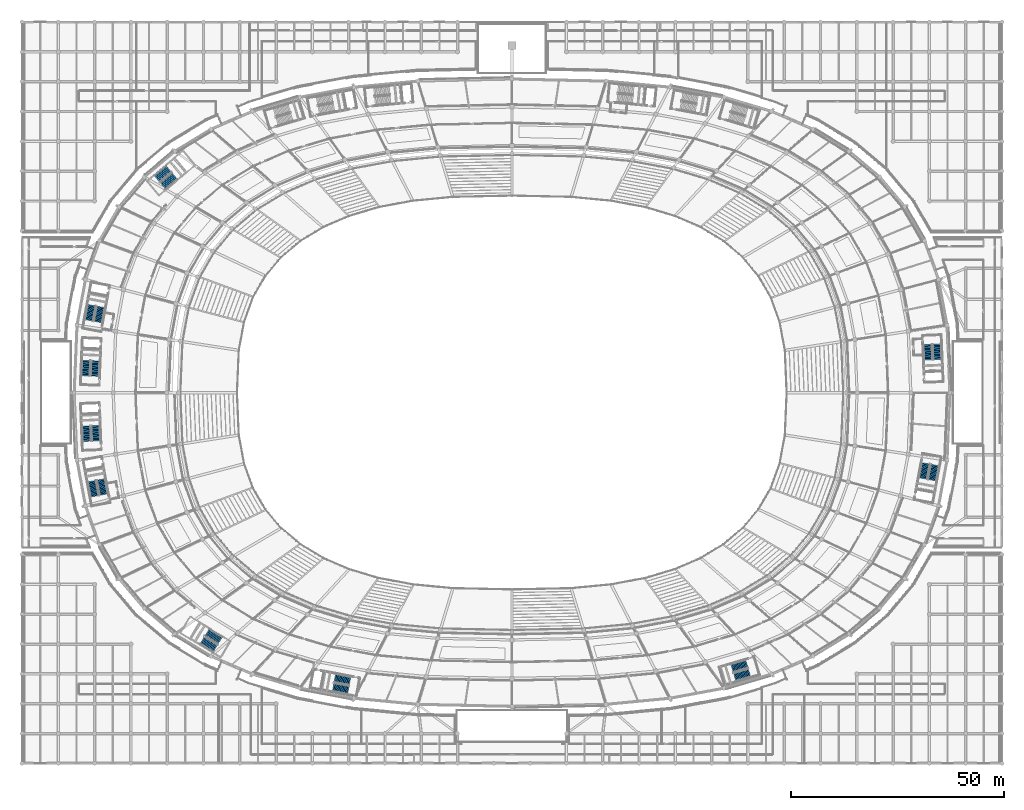
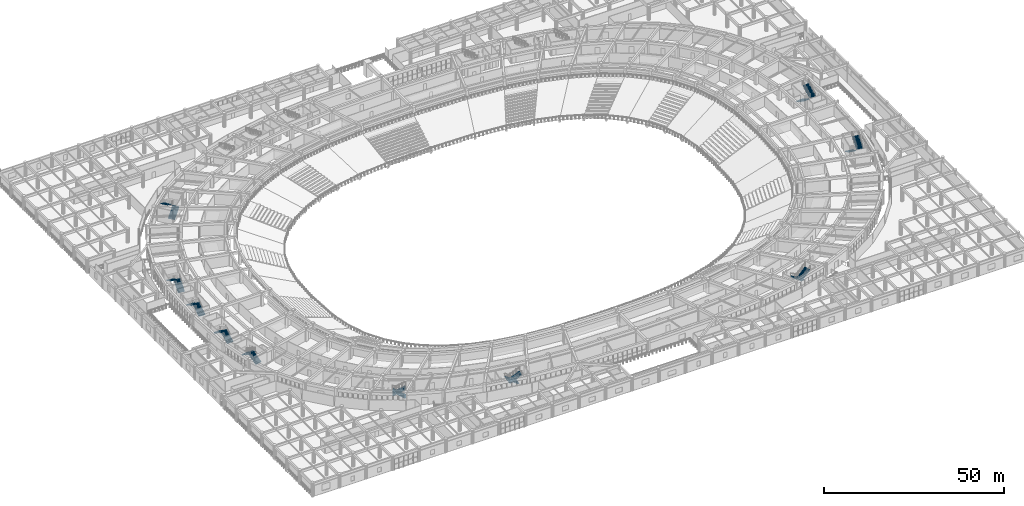
# One storey, part 118 of 152: 20 stair flights, 10 elements without a shape of their own.
"""IFC4 building model written with IfcOpenShell, lengths in metres."""

from ifc_helpers import new_model, si_unit, direction, frame, origin, place, context, subcontext, project, spatial, polyline, outline, extrude, material, type_object, element, aggregate, save


model = new_model("IFC4")

# Units and contexts
model_context = context("Model", 3, precision=1e-05, world=origin(), true_north=direction((0.0, 1.0)))
body_context = subcontext(model_context, "Body", "Model", "MODEL_VIEW")
ifc_project = project(units=[si_unit("LENGTHUNIT", "METRE"), si_unit("AREAUNIT", "SQUARE_METRE"), si_unit("VOLUMEUNIT", "CUBIC_METRE"), si_unit("PLANEANGLEUNIT", "RADIAN"), si_unit("MASSUNIT", "GRAM", prefix="KILO")], contexts=[model_context])

# Site, building, storey
site_placement = place(None, origin())
site = spatial("IfcSite", under=ifc_project, at=site_placement, CompositionType="ELEMENT")
building_placement = place(site_placement, origin())
building = spatial("IfcBuilding", under=site, at=building_placement, Name="Mphavela Belvedere Stadium", CompositionType="ELEMENT")
storey_placement = place(building_placement, frame((0.0, 0.0, 5.39990234375)))
storey = spatial("IfcBuildingStorey", under=building, at=storey_placement, Name="L01", CompositionType="ELEMENT", Elevation=5.39990234375)

# Stair, stair flights
ifc_material_1 = material(Name="Concrete C40/50", Category="concrete")
stair_type_1 = type_object("IfcStairType", Name="STR-HALF-TURN-1", PredefinedType="HALF_TURN_STAIR", material=ifc_material_1)
stair_1_placement = place(storey_placement, origin())
stair_1 = element("IfcStair", 1, at=stair_1_placement, inside=storey, type_object=stair_type_1, Name="L01 Escape stair core C01", PredefinedType="HALF_TURN_STAIR")
ifc_material_2 = material(Name="Concrete C40/50", Category="concrete")
stair_flight_type = type_object("IfcStairFlightType", Name="SFL-CORE-152", PredefinedType="STRAIGHT", material=ifc_material_2)
stair_flight_1_placement = place(storey_placement, frame((212.57373046875, 98.3193359375, 0.0), z_axis=(0.0, 0.0, 1.0), x_axis=(0.041875653729, -0.999122830099, 0.0)))
stair_flight_1 = element("IfcStairFlight", 2, at=stair_flight_1_placement, type_object=stair_flight_type, Name="ST-C01 flight 1", NumberOfRisers=13, NumberOfTreads=12, PredefinedType="STRAIGHT", RiserHeight=0.184615385, TreadLength=0.302, context=body_context, shape_type="SweptSolid", body=[
    extrude(outline(polyline([(0.0, 0.0), (0.0, 0.1845703125), (0.302001953125, 0.1845703125), (0.302001953125, 0.369140625), (0.60400390625, 0.369140625), (0.60400390625, 0.553955078125), (0.906005859375, 0.553955078125), (0.906005859375, 0.738525390625), (1.2080078125, 0.738525390625), (1.2080078125, 0.923095703125), (1.510009765625, 0.923095703125), (1.510009765625, 1.107666015625), (1.81201171875, 1.107666015625), (1.81201171875, 1.292236328125), (2.114013671875, 1.292236328125), (2.114013671875, 1.476806640625), (2.416015625, 1.476806640625), (2.416015625, 1.66162109375), (2.718017578125, 1.66162109375), (2.718017578125, 1.84619140625), (3.02001953125, 1.84619140625), (3.02001953125, 2.03076171875), (3.322021484375, 2.03076171875), (3.322021484375, 2.21533203125), (3.6240234375, 2.21533203125), (3.6240234375, 2.39990234375), (3.6240234375, 2.039794921875), (0.287353515625, 0.0), (0.0, 0.0)])), frame((0.0, 1.010009765625, 0.0), z_axis=(0.0, -1.0, 0.0), x_axis=(1.0, 0.0, 0.0)), (0.0, 0.0, 1.0), 2.02001953125),
])
stair_flight_2_placement = place(storey_placement, frame((214.8935546875, 94.789306640625, 2.400146484375), z_axis=(0.0, 0.0, 1.0), x_axis=(-0.041875653729, 0.999122830099, 0.0)))
stair_flight_2 = element("IfcStairFlight", 3, at=stair_flight_2_placement, type_object=stair_flight_type, Name="ST-C01 flight 2", NumberOfRisers=13, NumberOfTreads=12, PredefinedType="STRAIGHT", RiserHeight=0.184615385, TreadLength=0.302, context=body_context, shape_type="SweptSolid", body=[
    extrude(outline(polyline([(0.0, 0.0), (0.0, 0.1845703125), (0.302001953125, 0.1845703125), (0.302001953125, 0.369140625), (0.60400390625, 0.369140625), (0.60400390625, 0.553955078125), (0.906005859375, 0.553955078125), (0.906005859375, 0.738525390625), (1.2080078125, 0.738525390625), (1.2080078125, 0.923095703125), (1.510009765625, 0.923095703125), (1.510009765625, 1.107666015625), (1.81201171875, 1.107666015625), (1.81201171875, 1.292236328125), (2.114013671875, 1.292236328125), (2.114013671875, 1.476806640625), (2.416015625, 1.476806640625), (2.416015625, 1.66162109375), (2.718017578125, 1.66162109375), (2.718017578125, 1.84619140625), (3.02001953125, 1.84619140625), (3.02001953125, 2.03076171875), (3.322021484375, 2.03076171875), (3.322021484375, 2.21533203125), (3.6240234375, 2.21533203125), (3.6240234375, 2.39990234375), (3.6240234375, 2.039794921875), (0.287353515625, 0.0), (0.0, 0.0)])), frame((0.0, 1.010009765625, 0.0), z_axis=(0.0, -1.0, 0.0), x_axis=(1.0, 0.0, 0.0)), (0.0, 0.0, 1.0), 2.02001953125),
])
aggregate(stair_1, [stair_flight_1, stair_flight_2])

ifc_material_3 = material(Name="Concrete C40/50", Category="concrete")
stair_type_2 = type_object("IfcStairType", Name="STR-HALF-TURN-2", PredefinedType="HALF_TURN_STAIR", material=ifc_material_3)
stair_2_placement = place(storey_placement, origin())
stair_2 = element("IfcStair", 4, at=stair_2_placement, inside=storey, type_object=stair_type_2, Name="L01 Escape stair core C05", PredefinedType="HALF_TURN_STAIR")
stair_flight_3_placement = place(storey_placement, frame((33.068115234375, 135.525146484375, 0.0), z_axis=(0.0, 0.0, 1.0), x_axis=(0.764246456939, 0.644924300253, 0.0)))
stair_flight_3 = element("IfcStairFlight", 5, at=stair_flight_3_placement, type_object=stair_flight_type, Name="ST-C05 flight 1", NumberOfRisers=13, NumberOfTreads=12, PredefinedType="STRAIGHT", RiserHeight=0.184615385, TreadLength=0.302, context=body_context, shape_type="SweptSolid", body=[
    extrude(outline(polyline([(0.0, 0.0), (0.0, 0.1845703125), (0.302001953125, 0.1845703125), (0.302001953125, 0.369140625), (0.60400390625, 0.369140625), (0.60400390625, 0.553955078125), (0.906005859375, 0.553955078125), (0.906005859375, 0.738525390625), (1.2080078125, 0.738525390625), (1.2080078125, 0.923095703125), (1.510009765625, 0.923095703125), (1.510009765625, 1.107666015625), (1.81201171875, 1.107666015625), (1.81201171875, 1.292236328125), (2.114013671875, 1.292236328125), (2.114013671875, 1.476806640625), (2.416015625, 1.476806640625), (2.416015625, 1.66162109375), (2.718017578125, 1.66162109375), (2.718017578125, 1.84619140625), (3.02001953125, 1.84619140625), (3.02001953125, 2.03076171875), (3.322021484375, 2.03076171875), (3.322021484375, 2.21533203125), (3.6240234375, 2.21533203125), (3.6240234375, 2.39990234375), (3.6240234375, 2.039794921875), (0.287353515625, 0.0), (0.0, 0.0)])), frame((0.0, 1.010009765625, 0.0), z_axis=(0.0, -1.0, 0.0), x_axis=(1.0, 0.0, 0.0)), (0.0, 0.0, 1.0), 2.02001953125),
])
stair_flight_4_placement = place(storey_placement, frame((34.438232421875, 139.520751953125, 2.400146484375), z_axis=(0.0, 0.0, 1.0), x_axis=(-0.764246456939, -0.644924300253, 0.0)))
stair_flight_4 = element("IfcStairFlight", 6, at=stair_flight_4_placement, type_object=stair_flight_type, Name="ST-C05 flight 2", NumberOfRisers=13, NumberOfTreads=12, PredefinedType="STRAIGHT", RiserHeight=0.184615385, TreadLength=0.302, context=body_context, shape_type="SweptSolid", body=[
    extrude(outline(polyline([(0.0, 0.0), (0.0, 0.1845703125), (0.302001953125, 0.1845703125), (0.302001953125, 0.369140625), (0.60400390625, 0.369140625), (0.60400390625, 0.553955078125), (0.906005859375, 0.553955078125), (0.906005859375, 0.738525390625), (1.2080078125, 0.738525390625), (1.2080078125, 0.923095703125), (1.510009765625, 0.923095703125), (1.510009765625, 1.107666015625), (1.81201171875, 1.107666015625), (1.81201171875, 1.292236328125), (2.114013671875, 1.292236328125), (2.114013671875, 1.476806640625), (2.416015625, 1.476806640625), (2.416015625, 1.66162109375), (2.718017578125, 1.66162109375), (2.718017578125, 1.84619140625), (3.02001953125, 1.84619140625), (3.02001953125, 2.03076171875), (3.322021484375, 2.03076171875), (3.322021484375, 2.21533203125), (3.6240234375, 2.21533203125), (3.6240234375, 2.39990234375), (3.6240234375, 2.039794921875), (0.287353515625, 0.0), (0.0, 0.0)])), frame((0.0, 1.010009765625, 0.0), z_axis=(0.0, -1.0, 0.0), x_axis=(1.0, 0.0, 0.0)), (0.0, 0.0, 1.0), 2.02001953125),
])
aggregate(stair_2, [stair_flight_3, stair_flight_4])

ifc_material_4 = material(Name="Concrete C40/50", Category="concrete")
stair_type_3 = type_object("IfcStairType", Name="STR-HALF-TURN-3", PredefinedType="HALF_TURN_STAIR", material=ifc_material_4)
stair_3_placement = place(storey_placement, origin())
stair_3 = element("IfcStair", 7, at=stair_3_placement, inside=storey, type_object=stair_type_3, Name="L01 Escape stair core C06", PredefinedType="HALF_TURN_STAIR")
stair_flight_5_placement = place(storey_placement, frame((17.851806640625, 103.57861328125, 0.0), z_axis=(0.0, 0.0, 1.0), x_axis=(0.182578735093, 0.983191235463, 0.0)))
stair_flight_5 = element("IfcStairFlight", 8, at=stair_flight_5_placement, type_object=stair_flight_type, Name="ST-C06 flight 1", NumberOfRisers=13, NumberOfTreads=12, PredefinedType="STRAIGHT", RiserHeight=0.184615385, TreadLength=0.302, context=body_context, shape_type="SweptSolid", body=[
    extrude(outline(polyline([(0.0, 0.0), (0.0, 0.1845703125), (0.302001953125, 0.1845703125), (0.302001953125, 0.369140625), (0.60400390625, 0.369140625), (0.60400390625, 0.553955078125), (0.906005859375, 0.553955078125), (0.906005859375, 0.738525390625), (1.2080078125, 0.738525390625), (1.2080078125, 0.923095703125), (1.510009765625, 0.923095703125), (1.510009765625, 1.107666015625), (1.81201171875, 1.107666015625), (1.81201171875, 1.292236328125), (2.114013671875, 1.292236328125), (2.114013671875, 1.476806640625), (2.416015625, 1.476806640625), (2.416015625, 1.66162109375), (2.718017578125, 1.66162109375), (2.718017578125, 1.84619140625), (3.02001953125, 1.84619140625), (3.02001953125, 2.03076171875), (3.322021484375, 2.03076171875), (3.322021484375, 2.21533203125), (3.6240234375, 2.21533203125), (3.6240234375, 2.39990234375), (3.6240234375, 2.039794921875), (0.287353515625, 0.0), (0.0, 0.0)])), frame((0.0, 1.010009765625, 0.0), z_axis=(0.0, -1.0, 0.0), x_axis=(1.0, 0.0, 0.0)), (0.0, 0.0, 1.0), 2.02001953125),
])
stair_flight_6_placement = place(storey_placement, frame((16.3798828125, 107.537841796875, 2.400146484375), z_axis=(0.0, 0.0, 1.0), x_axis=(-0.182578735093, -0.983191235463, 0.0)))
stair_flight_6 = element("IfcStairFlight", 9, at=stair_flight_6_placement, type_object=stair_flight_type, Name="ST-C06 flight 2", NumberOfRisers=13, NumberOfTreads=12, PredefinedType="STRAIGHT", RiserHeight=0.184615385, TreadLength=0.302, context=body_context, shape_type="SweptSolid", body=[
    extrude(outline(polyline([(0.0, 0.0), (0.0, 0.1845703125), (0.302001953125, 0.1845703125), (0.302001953125, 0.369140625), (0.60400390625, 0.369140625), (0.60400390625, 0.553955078125), (0.906005859375, 0.553955078125), (0.906005859375, 0.738525390625), (1.2080078125, 0.738525390625), (1.2080078125, 0.923095703125), (1.510009765625, 0.923095703125), (1.510009765625, 1.107666015625), (1.81201171875, 1.107666015625), (1.81201171875, 1.292236328125), (2.114013671875, 1.292236328125), (2.114013671875, 1.476806640625), (2.416015625, 1.476806640625), (2.416015625, 1.66162109375), (2.718017578125, 1.66162109375), (2.718017578125, 1.84619140625), (3.02001953125, 1.84619140625), (3.02001953125, 2.03076171875), (3.322021484375, 2.03076171875), (3.322021484375, 2.21533203125), (3.6240234375, 2.21533203125), (3.6240234375, 2.39990234375), (3.6240234375, 2.039794921875), (0.287353515625, 0.0), (0.0, 0.0)])), frame((0.0, 1.010009765625, 0.0), z_axis=(0.0, -1.0, 0.0), x_axis=(1.0, 0.0, 0.0)), (0.0, 0.0, 1.0), 2.02001953125),
])
aggregate(stair_3, [stair_flight_5, stair_flight_6])

stair_4_placement = place(storey_placement, origin())
stair_4 = element("IfcStair", 10, at=stair_4_placement, inside=storey, type_object=stair_type_1, Name="L01 Escape stair core C07", PredefinedType="HALF_TURN_STAIR")
stair_flight_7_placement = place(storey_placement, frame((17.11376953125, 90.86572265625, 0.0), z_axis=(0.0, 0.0, 1.0), x_axis=(0.041875653729, 0.999122830099, 0.0)))
stair_flight_7 = element("IfcStairFlight", 11, at=stair_flight_7_placement, type_object=stair_flight_type, Name="ST-C07 flight 1", NumberOfRisers=13, NumberOfTreads=12, PredefinedType="STRAIGHT", RiserHeight=0.184615385, TreadLength=0.302, context=body_context, shape_type="SweptSolid", body=[
    extrude(outline(polyline([(0.0, 0.0), (0.0, 0.1845703125), (0.302001953125, 0.1845703125), (0.302001953125, 0.369140625), (0.60400390625, 0.369140625), (0.60400390625, 0.553955078125), (0.906005859375, 0.553955078125), (0.906005859375, 0.738525390625), (1.2080078125, 0.738525390625), (1.2080078125, 0.923095703125), (1.510009765625, 0.923095703125), (1.510009765625, 1.107666015625), (1.81201171875, 1.107666015625), (1.81201171875, 1.292236328125), (2.114013671875, 1.292236328125), (2.114013671875, 1.476806640625), (2.416015625, 1.476806640625), (2.416015625, 1.66162109375), (2.718017578125, 1.66162109375), (2.718017578125, 1.84619140625), (3.02001953125, 1.84619140625), (3.02001953125, 2.03076171875), (3.322021484375, 2.03076171875), (3.322021484375, 2.21533203125), (3.6240234375, 2.21533203125), (3.6240234375, 2.39990234375), (3.6240234375, 2.039794921875), (0.287353515625, 0.0), (0.0, 0.0)])), frame((0.0, 1.010009765625, 0.0), z_axis=(0.0, -1.0, 0.0), x_axis=(1.0, 0.0, 0.0)), (0.0, 0.0, 1.0), 2.02001953125),
])
stair_flight_8_placement = place(storey_placement, frame((15.09765625, 94.577392578125, 2.400146484375), z_axis=(0.0, 0.0, 1.0), x_axis=(-0.041875653729, -0.999122830099, 0.0)))
stair_flight_8 = element("IfcStairFlight", 12, at=stair_flight_8_placement, type_object=stair_flight_type, Name="ST-C07 flight 2", NumberOfRisers=13, NumberOfTreads=12, PredefinedType="STRAIGHT", RiserHeight=0.184615385, TreadLength=0.302, context=body_context, shape_type="SweptSolid", body=[
    extrude(outline(polyline([(0.0, 0.0), (0.0, 0.1845703125), (0.302001953125, 0.1845703125), (0.302001953125, 0.369140625), (0.60400390625, 0.369140625), (0.60400390625, 0.553955078125), (0.906005859375, 0.553955078125), (0.906005859375, 0.738525390625), (1.2080078125, 0.738525390625), (1.2080078125, 0.923095703125), (1.510009765625, 0.923095703125), (1.510009765625, 1.107666015625), (1.81201171875, 1.107666015625), (1.81201171875, 1.292236328125), (2.114013671875, 1.292236328125), (2.114013671875, 1.476806640625), (2.416015625, 1.476806640625), (2.416015625, 1.66162109375), (2.718017578125, 1.66162109375), (2.718017578125, 1.84619140625), (3.02001953125, 1.84619140625), (3.02001953125, 2.03076171875), (3.322021484375, 2.03076171875), (3.322021484375, 2.21533203125), (3.6240234375, 2.21533203125), (3.6240234375, 2.39990234375), (3.6240234375, 2.039794921875), (0.287353515625, 0.0), (0.0, 0.0)])), frame((0.0, 1.010009765625, 0.0), z_axis=(0.0, -1.0, 0.0), x_axis=(1.0, 0.0, 0.0)), (0.0, 0.0, 1.0), 2.02001953125),
])
aggregate(stair_4, [stair_flight_7, stair_flight_8])

stair_5_placement = place(storey_placement, origin())
stair_5 = element("IfcStair", 13, at=stair_5_placement, inside=storey, type_object=stair_type_2, Name="L01 Escape stair core C08", PredefinedType="HALF_TURN_STAIR")
stair_flight_9_placement = place(storey_placement, frame((17.42626953125, 75.6806640625, 0.0), z_axis=(0.0, 0.0, 1.0), x_axis=(-0.041875653729, 0.999122830099, 0.0)))
stair_flight_9 = element("IfcStairFlight", 14, at=stair_flight_9_placement, type_object=stair_flight_type, Name="ST-C08 flight 1", NumberOfRisers=13, NumberOfTreads=12, PredefinedType="STRAIGHT", RiserHeight=0.184615385, TreadLength=0.302, context=body_context, shape_type="SweptSolid", body=[
    extrude(outline(polyline([(0.0, 0.0), (0.0, 0.1845703125), (0.302001953125, 0.1845703125), (0.302001953125, 0.369140625), (0.60400390625, 0.369140625), (0.60400390625, 0.553955078125), (0.906005859375, 0.553955078125), (0.906005859375, 0.738525390625), (1.2080078125, 0.738525390625), (1.2080078125, 0.923095703125), (1.510009765625, 0.923095703125), (1.510009765625, 1.107666015625), (1.81201171875, 1.107666015625), (1.81201171875, 1.292236328125), (2.114013671875, 1.292236328125), (2.114013671875, 1.476806640625), (2.416015625, 1.476806640625), (2.416015625, 1.66162109375), (2.718017578125, 1.66162109375), (2.718017578125, 1.84619140625), (3.02001953125, 1.84619140625), (3.02001953125, 2.03076171875), (3.322021484375, 2.03076171875), (3.322021484375, 2.21533203125), (3.6240234375, 2.21533203125), (3.6240234375, 2.39990234375), (3.6240234375, 2.039794921875), (0.287353515625, 0.0), (0.0, 0.0)])), frame((0.0, 1.010009765625, 0.0), z_axis=(0.0, -1.0, 0.0), x_axis=(1.0, 0.0, 0.0)), (0.0, 0.0, 1.0), 2.02001953125),
])
stair_flight_10_placement = place(storey_placement, frame((15.1064453125, 79.210693359375, 2.400146484375), z_axis=(0.0, 0.0, 1.0), x_axis=(0.041875653729, -0.999122830099, 0.0)))
stair_flight_10 = element("IfcStairFlight", 15, at=stair_flight_10_placement, type_object=stair_flight_type, Name="ST-C08 flight 2", NumberOfRisers=13, NumberOfTreads=12, PredefinedType="STRAIGHT", RiserHeight=0.184615385, TreadLength=0.302, context=body_context, shape_type="SweptSolid", body=[
    extrude(outline(polyline([(0.0, 0.0), (0.0, 0.1845703125), (0.302001953125, 0.1845703125), (0.302001953125, 0.369140625), (0.60400390625, 0.369140625), (0.60400390625, 0.553955078125), (0.906005859375, 0.553955078125), (0.906005859375, 0.738525390625), (1.2080078125, 0.738525390625), (1.2080078125, 0.923095703125), (1.510009765625, 0.923095703125), (1.510009765625, 1.107666015625), (1.81201171875, 1.107666015625), (1.81201171875, 1.292236328125), (2.114013671875, 1.292236328125), (2.114013671875, 1.476806640625), (2.416015625, 1.476806640625), (2.416015625, 1.66162109375), (2.718017578125, 1.66162109375), (2.718017578125, 1.84619140625), (3.02001953125, 1.84619140625), (3.02001953125, 2.03076171875), (3.322021484375, 2.03076171875), (3.322021484375, 2.21533203125), (3.6240234375, 2.21533203125), (3.6240234375, 2.39990234375), (3.6240234375, 2.039794921875), (0.287353515625, 0.0), (0.0, 0.0)])), frame((0.0, 1.010009765625, 0.0), z_axis=(0.0, -1.0, 0.0), x_axis=(1.0, 0.0, 0.0)), (0.0, 0.0, 1.0), 2.02001953125),
])
aggregate(stair_5, [stair_flight_9, stair_flight_10])

stair_6_placement = place(storey_placement, origin())
stair_6 = element("IfcStair", 16, at=stair_6_placement, inside=storey, type_object=stair_type_3, Name="L01 Escape stair core C09", PredefinedType="HALF_TURN_STAIR")
stair_flight_11_placement = place(storey_placement, frame((19.2138671875, 63.0869140625, 0.0), z_axis=(0.0, 0.0, 1.0), x_axis=(-0.182578735093, 0.983191235463, 0.0)))
stair_flight_11 = element("IfcStairFlight", 17, at=stair_flight_11_placement, type_object=stair_flight_type, Name="ST-C09 flight 1", NumberOfRisers=13, NumberOfTreads=12, PredefinedType="STRAIGHT", RiserHeight=0.184615385, TreadLength=0.302, context=body_context, shape_type="SweptSolid", body=[
    extrude(outline(polyline([(0.0, 0.0), (0.0, 0.1845703125), (0.302001953125, 0.1845703125), (0.302001953125, 0.369140625), (0.60400390625, 0.369140625), (0.60400390625, 0.553955078125), (0.906005859375, 0.553955078125), (0.906005859375, 0.738525390625), (1.2080078125, 0.738525390625), (1.2080078125, 0.923095703125), (1.510009765625, 0.923095703125), (1.510009765625, 1.107666015625), (1.81201171875, 1.107666015625), (1.81201171875, 1.292236328125), (2.114013671875, 1.292236328125), (2.114013671875, 1.476806640625), (2.416015625, 1.476806640625), (2.416015625, 1.66162109375), (2.718017578125, 1.66162109375), (2.718017578125, 1.84619140625), (3.02001953125, 1.84619140625), (3.02001953125, 2.03076171875), (3.322021484375, 2.03076171875), (3.322021484375, 2.21533203125), (3.6240234375, 2.21533203125), (3.6240234375, 2.39990234375), (3.6240234375, 2.039794921875), (0.287353515625, 0.0), (0.0, 0.0)])), frame((0.0, 1.010009765625, 0.0), z_axis=(0.0, -1.0, 0.0), x_axis=(1.0, 0.0, 0.0)), (0.0, 0.0, 1.0), 2.02001953125),
])
stair_flight_12_placement = place(storey_placement, frame((16.41845703125, 66.253662109375, 2.400146484375), z_axis=(0.0, 0.0, 1.0), x_axis=(0.182578735093, -0.983191235463, 0.0)))
stair_flight_12 = element("IfcStairFlight", 18, at=stair_flight_12_placement, type_object=stair_flight_type, Name="ST-C09 flight 2", NumberOfRisers=13, NumberOfTreads=12, PredefinedType="STRAIGHT", RiserHeight=0.184615385, TreadLength=0.302, context=body_context, shape_type="SweptSolid", body=[
    extrude(outline(polyline([(0.0, 0.0), (0.0, 0.1845703125), (0.302001953125, 0.1845703125), (0.302001953125, 0.369140625), (0.60400390625, 0.369140625), (0.60400390625, 0.553955078125), (0.906005859375, 0.553955078125), (0.906005859375, 0.738525390625), (1.2080078125, 0.738525390625), (1.2080078125, 0.923095703125), (1.510009765625, 0.923095703125), (1.510009765625, 1.107666015625), (1.81201171875, 1.107666015625), (1.81201171875, 1.292236328125), (2.114013671875, 1.292236328125), (2.114013671875, 1.476806640625), (2.416015625, 1.476806640625), (2.416015625, 1.66162109375), (2.718017578125, 1.66162109375), (2.718017578125, 1.84619140625), (3.02001953125, 1.84619140625), (3.02001953125, 2.03076171875), (3.322021484375, 2.03076171875), (3.322021484375, 2.21533203125), (3.6240234375, 2.21533203125), (3.6240234375, 2.39990234375), (3.6240234375, 2.039794921875), (0.287353515625, 0.0), (0.0, 0.0)])), frame((0.0, 1.010009765625, 0.0), z_axis=(0.0, -1.0, 0.0), x_axis=(1.0, 0.0, 0.0)), (0.0, 0.0, 1.0), 2.02001953125),
])
aggregate(stair_6, [stair_flight_11, stair_flight_12])

stair_7_placement = place(storey_placement, origin())
stair_7 = element("IfcStair", 19, at=stair_7_placement, inside=storey, type_object=stair_type_1, Name="L01 Escape stair core C10", PredefinedType="HALF_TURN_STAIR")
stair_flight_13_placement = place(storey_placement, frame((46.510498046875, 28.82666015625, 0.0), z_axis=(0.0, 0.0, 1.0), x_axis=(-0.854368143929, 0.519668235165, 0.0)))
stair_flight_13 = element("IfcStairFlight", 20, at=stair_flight_13_placement, type_object=stair_flight_type, Name="ST-C10 flight 1", NumberOfRisers=13, NumberOfTreads=12, PredefinedType="STRAIGHT", RiserHeight=0.184615385, TreadLength=0.302, context=body_context, shape_type="SweptSolid", body=[
    extrude(outline(polyline([(0.0, 0.0), (0.0, 0.1845703125), (0.302001953125, 0.1845703125), (0.302001953125, 0.369140625), (0.60400390625, 0.369140625), (0.60400390625, 0.553955078125), (0.906005859375, 0.553955078125), (0.906005859375, 0.738525390625), (1.2080078125, 0.738525390625), (1.2080078125, 0.923095703125), (1.510009765625, 0.923095703125), (1.510009765625, 1.107666015625), (1.81201171875, 1.107666015625), (1.81201171875, 1.292236328125), (2.114013671875, 1.292236328125), (2.114013671875, 1.476806640625), (2.416015625, 1.476806640625), (2.416015625, 1.66162109375), (2.718017578125, 1.66162109375), (2.718017578125, 1.84619140625), (3.02001953125, 1.84619140625), (3.02001953125, 2.03076171875), (3.322021484375, 2.03076171875), (3.322021484375, 2.21533203125), (3.6240234375, 2.21533203125), (3.6240234375, 2.39990234375), (3.6240234375, 2.039794921875), (0.287353515625, 0.0), (0.0, 0.0)])), frame((0.0, 1.010009765625, 0.0), z_axis=(0.0, -1.0, 0.0), x_axis=(1.0, 0.0, 0.0)), (0.0, 0.0, 1.0), 2.02001953125),
])
stair_flight_14_placement = place(storey_placement, frame((42.28662109375, 28.85595703125, 2.400146484375), z_axis=(0.0, 0.0, 1.0), x_axis=(0.854368143929, -0.519668235165, 0.0)))
stair_flight_14 = element("IfcStairFlight", 21, at=stair_flight_14_placement, type_object=stair_flight_type, Name="ST-C10 flight 2", NumberOfRisers=13, NumberOfTreads=12, PredefinedType="STRAIGHT", RiserHeight=0.184615385, TreadLength=0.302, context=body_context, shape_type="SweptSolid", body=[
    extrude(outline(polyline([(0.0, 0.0), (0.0, 0.1845703125), (0.302001953125, 0.1845703125), (0.302001953125, 0.369140625), (0.60400390625, 0.369140625), (0.60400390625, 0.553955078125), (0.906005859375, 0.553955078125), (0.906005859375, 0.738525390625), (1.2080078125, 0.738525390625), (1.2080078125, 0.923095703125), (1.510009765625, 0.923095703125), (1.510009765625, 1.107666015625), (1.81201171875, 1.107666015625), (1.81201171875, 1.292236328125), (2.114013671875, 1.292236328125), (2.114013671875, 1.476806640625), (2.416015625, 1.476806640625), (2.416015625, 1.66162109375), (2.718017578125, 1.66162109375), (2.718017578125, 1.84619140625), (3.02001953125, 1.84619140625), (3.02001953125, 2.03076171875), (3.322021484375, 2.03076171875), (3.322021484375, 2.21533203125), (3.6240234375, 2.21533203125), (3.6240234375, 2.39990234375), (3.6240234375, 2.039794921875), (0.287353515625, 0.0), (0.0, 0.0)])), frame((0.0, 1.010009765625, 0.0), z_axis=(0.0, -1.0, 0.0), x_axis=(1.0, 0.0, 0.0)), (0.0, 0.0, 1.0), 2.02001953125),
])
aggregate(stair_7, [stair_flight_13, stair_flight_14])

stair_8_placement = place(storey_placement, origin())
stair_8 = element("IfcStair", 22, at=stair_8_placement, inside=storey, type_object=stair_type_2, Name="L01 Escape stair core C11", PredefinedType="HALF_TURN_STAIR")
stair_flight_15_placement = place(storey_placement, frame((76.985595703125, 19.331787109375, 0.0), z_axis=(0.0, 0.0, 1.0), x_axis=(-0.983095502692, 0.183093507769, 0.0)))
stair_flight_15 = element("IfcStairFlight", 23, at=stair_flight_15_placement, type_object=stair_flight_type, Name="ST-C11 flight 1", NumberOfRisers=13, NumberOfTreads=12, PredefinedType="STRAIGHT", RiserHeight=0.184615385, TreadLength=0.302, context=body_context, shape_type="SweptSolid", body=[
    extrude(outline(polyline([(0.0, 0.0), (0.0, 0.1845703125), (0.302001953125, 0.1845703125), (0.302001953125, 0.369140625), (0.60400390625, 0.369140625), (0.60400390625, 0.553955078125), (0.906005859375, 0.553955078125), (0.906005859375, 0.738525390625), (1.2080078125, 0.738525390625), (1.2080078125, 0.923095703125), (1.510009765625, 0.923095703125), (1.510009765625, 1.107666015625), (1.81201171875, 1.107666015625), (1.81201171875, 1.292236328125), (2.114013671875, 1.292236328125), (2.114013671875, 1.476806640625), (2.416015625, 1.476806640625), (2.416015625, 1.66162109375), (2.718017578125, 1.66162109375), (2.718017578125, 1.84619140625), (3.02001953125, 1.84619140625), (3.02001953125, 2.03076171875), (3.322021484375, 2.03076171875), (3.322021484375, 2.21533203125), (3.6240234375, 2.21533203125), (3.6240234375, 2.39990234375), (3.6240234375, 2.039794921875), (0.287353515625, 0.0), (0.0, 0.0)])), frame((0.0, 1.010009765625, 0.0), z_axis=(0.0, -1.0, 0.0), x_axis=(1.0, 0.0, 0.0)), (0.0, 0.0, 1.0), 2.02001953125),
])
stair_flight_16_placement = place(storey_placement, frame((73.025634765625, 17.86181640625, 2.400146484375), z_axis=(0.0, 0.0, 1.0), x_axis=(0.983095502692, -0.183093507769, 0.0)))
stair_flight_16 = element("IfcStairFlight", 24, at=stair_flight_16_placement, type_object=stair_flight_type, Name="ST-C11 flight 2", NumberOfRisers=13, NumberOfTreads=12, PredefinedType="STRAIGHT", RiserHeight=0.184615385, TreadLength=0.302, context=body_context, shape_type="SweptSolid", body=[
    extrude(outline(polyline([(0.0, 0.0), (0.0, 0.1845703125), (0.302001953125, 0.1845703125), (0.302001953125, 0.369140625), (0.60400390625, 0.369140625), (0.60400390625, 0.553955078125), (0.906005859375, 0.553955078125), (0.906005859375, 0.738525390625), (1.2080078125, 0.738525390625), (1.2080078125, 0.923095703125), (1.510009765625, 0.923095703125), (1.510009765625, 1.107666015625), (1.81201171875, 1.107666015625), (1.81201171875, 1.292236328125), (2.114013671875, 1.292236328125), (2.114013671875, 1.476806640625), (2.416015625, 1.476806640625), (2.416015625, 1.66162109375), (2.718017578125, 1.66162109375), (2.718017578125, 1.84619140625), (3.02001953125, 1.84619140625), (3.02001953125, 2.03076171875), (3.322021484375, 2.03076171875), (3.322021484375, 2.21533203125), (3.6240234375, 2.21533203125), (3.6240234375, 2.39990234375), (3.6240234375, 2.039794921875), (0.287353515625, 0.0), (0.0, 0.0)])), frame((0.0, 1.010009765625, 0.0), z_axis=(0.0, -1.0, 0.0), x_axis=(1.0, 0.0, 0.0)), (0.0, 0.0, 1.0), 2.02001953125),
])
aggregate(stair_8, [stair_flight_15, stair_flight_16])

stair_9_placement = place(storey_placement, origin())
stair_9 = element("IfcStair", 25, at=stair_9_placement, inside=storey, type_object=stair_type_3, Name="L01 Escape stair core C12", PredefinedType="HALF_TURN_STAIR")
stair_flight_17_placement = place(storey_placement, frame((212.148193359375, 70.42138671875, 0.0), z_axis=(0.0, 0.0, 1.0), x_axis=(-0.182578735093, -0.983191235463, 0.0)))
stair_flight_17 = element("IfcStairFlight", 26, at=stair_flight_17_placement, type_object=stair_flight_type, Name="ST-C12 flight 1", NumberOfRisers=13, NumberOfTreads=12, PredefinedType="STRAIGHT", RiserHeight=0.184615385, TreadLength=0.302, context=body_context, shape_type="SweptSolid", body=[
    extrude(outline(polyline([(0.0, 0.0), (0.0, 0.1845703125), (0.302001953125, 0.1845703125), (0.302001953125, 0.369140625), (0.60400390625, 0.369140625), (0.60400390625, 0.553955078125), (0.906005859375, 0.553955078125), (0.906005859375, 0.738525390625), (1.2080078125, 0.738525390625), (1.2080078125, 0.923095703125), (1.510009765625, 0.923095703125), (1.510009765625, 1.107666015625), (1.81201171875, 1.107666015625), (1.81201171875, 1.292236328125), (2.114013671875, 1.292236328125), (2.114013671875, 1.476806640625), (2.416015625, 1.476806640625), (2.416015625, 1.66162109375), (2.718017578125, 1.66162109375), (2.718017578125, 1.84619140625), (3.02001953125, 1.84619140625), (3.02001953125, 2.03076171875), (3.322021484375, 2.03076171875), (3.322021484375, 2.21533203125), (3.6240234375, 2.21533203125), (3.6240234375, 2.39990234375), (3.6240234375, 2.039794921875), (0.287353515625, 0.0), (0.0, 0.0)])), frame((0.0, 1.010009765625, 0.0), z_axis=(0.0, -1.0, 0.0), x_axis=(1.0, 0.0, 0.0)), (0.0, 0.0, 1.0), 2.02001953125),
])
stair_flight_18_placement = place(storey_placement, frame((213.6201171875, 66.462158203125, 2.400146484375), z_axis=(0.0, 0.0, 1.0), x_axis=(0.182578735093, 0.983191235463, 0.0)))
stair_flight_18 = element("IfcStairFlight", 27, at=stair_flight_18_placement, type_object=stair_flight_type, Name="ST-C12 flight 2", NumberOfRisers=13, NumberOfTreads=12, PredefinedType="STRAIGHT", RiserHeight=0.184615385, TreadLength=0.302, context=body_context, shape_type="SweptSolid", body=[
    extrude(outline(polyline([(0.0, 0.0), (0.0, 0.1845703125), (0.302001953125, 0.1845703125), (0.302001953125, 0.369140625), (0.60400390625, 0.369140625), (0.60400390625, 0.553955078125), (0.906005859375, 0.553955078125), (0.906005859375, 0.738525390625), (1.2080078125, 0.738525390625), (1.2080078125, 0.923095703125), (1.510009765625, 0.923095703125), (1.510009765625, 1.107666015625), (1.81201171875, 1.107666015625), (1.81201171875, 1.292236328125), (2.114013671875, 1.292236328125), (2.114013671875, 1.476806640625), (2.416015625, 1.476806640625), (2.416015625, 1.66162109375), (2.718017578125, 1.66162109375), (2.718017578125, 1.84619140625), (3.02001953125, 1.84619140625), (3.02001953125, 2.03076171875), (3.322021484375, 2.03076171875), (3.322021484375, 2.21533203125), (3.6240234375, 2.21533203125), (3.6240234375, 2.39990234375), (3.6240234375, 2.039794921875), (0.287353515625, 0.0), (0.0, 0.0)])), frame((0.0, 1.010009765625, 0.0), z_axis=(0.0, -1.0, 0.0), x_axis=(1.0, 0.0, 0.0)), (0.0, 0.0, 1.0), 2.02001953125),
])
aggregate(stair_9, [stair_flight_17, stair_flight_18])

ifc_material_5 = material(Name="Precast concrete C45/55", Category="concrete")
stair_type_4 = type_object("IfcStairType", Name="STR-TWO-RET-2", PredefinedType="TWO_STRAIGHT_RUN_STAIR", material=ifc_material_5)
stair_10_placement = place(storey_placement, origin())
stair_10 = element("IfcStair", 28, at=stair_10_placement, inside=storey, type_object=stair_type_4, Name="L01 Escape stair core P04", PredefinedType="TWO_STRAIGHT_RUN_STAIR")
stair_flight_19_placement = place(storey_placement, frame((170.126953125, 23.3330078125, 0.0), z_axis=(0.0, 0.0, 1.0), x_axis=(-0.958670893355, -0.284517342588, 0.0)))
stair_flight_19 = element("IfcStairFlight", 29, at=stair_flight_19_placement, type_object=stair_flight_type, Name="ST-P04 flight 1", NumberOfRisers=13, NumberOfTreads=12, PredefinedType="STRAIGHT", RiserHeight=0.184615385, TreadLength=0.302, context=body_context, shape_type="SweptSolid", body=[
    extrude(outline(polyline([(0.0, 0.0), (0.0, 0.1845703125), (0.302001953125, 0.1845703125), (0.302001953125, 0.369140625), (0.60400390625, 0.369140625), (0.60400390625, 0.553955078125), (0.906005859375, 0.553955078125), (0.906005859375, 0.738525390625), (1.2080078125, 0.738525390625), (1.2080078125, 0.923095703125), (1.510009765625, 0.923095703125), (1.510009765625, 1.107666015625), (1.81201171875, 1.107666015625), (1.81201171875, 1.292236328125), (2.114013671875, 1.292236328125), (2.114013671875, 1.476806640625), (2.416015625, 1.476806640625), (2.416015625, 1.66162109375), (2.718017578125, 1.66162109375), (2.718017578125, 1.84619140625), (3.02001953125, 1.84619140625), (3.02001953125, 2.03076171875), (3.322021484375, 2.03076171875), (3.322021484375, 2.21533203125), (3.6240234375, 2.21533203125), (3.6240234375, 2.39990234375), (3.6240234375, 2.039794921875), (0.287353515625, 0.0), (0.0, 0.0)])), frame((0.0, 1.010009765625, 0.0), z_axis=(0.0, -1.0, 0.0), x_axis=(1.0, 0.0, 0.0)), (0.0, 0.0, 1.0), 2.02001953125),
])
stair_flight_20_placement = place(storey_placement, frame((167.27001953125, 20.2216796875, 2.400146484375), z_axis=(0.0, 0.0, 1.0), x_axis=(0.958670893355, 0.284517342588, 0.0)))
stair_flight_20 = element("IfcStairFlight", 30, at=stair_flight_20_placement, type_object=stair_flight_type, Name="ST-P04 flight 2", NumberOfRisers=13, NumberOfTreads=12, PredefinedType="STRAIGHT", RiserHeight=0.184615385, TreadLength=0.302, context=body_context, shape_type="SweptSolid", body=[
    extrude(outline(polyline([(0.0, 0.0), (0.0, 0.1845703125), (0.302001953125, 0.1845703125), (0.302001953125, 0.369140625), (0.60400390625, 0.369140625), (0.60400390625, 0.553955078125), (0.906005859375, 0.553955078125), (0.906005859375, 0.738525390625), (1.2080078125, 0.738525390625), (1.2080078125, 0.923095703125), (1.510009765625, 0.923095703125), (1.510009765625, 1.107666015625), (1.81201171875, 1.107666015625), (1.81201171875, 1.292236328125), (2.114013671875, 1.292236328125), (2.114013671875, 1.476806640625), (2.416015625, 1.476806640625), (2.416015625, 1.66162109375), (2.718017578125, 1.66162109375), (2.718017578125, 1.84619140625), (3.02001953125, 1.84619140625), (3.02001953125, 2.03076171875), (3.322021484375, 2.03076171875), (3.322021484375, 2.21533203125), (3.6240234375, 2.21533203125), (3.6240234375, 2.39990234375), (3.6240234375, 2.039794921875), (0.287353515625, 0.0), (0.0, 0.0)])), frame((0.0, 1.010009765625, 0.0), z_axis=(0.0, -1.0, 0.0), x_axis=(1.0, 0.0, 0.0)), (0.0, 0.0, 1.0), 2.02001953125),
])
aggregate(stair_10, [stair_flight_19, stair_flight_20])

save(model, "model.ifc")
